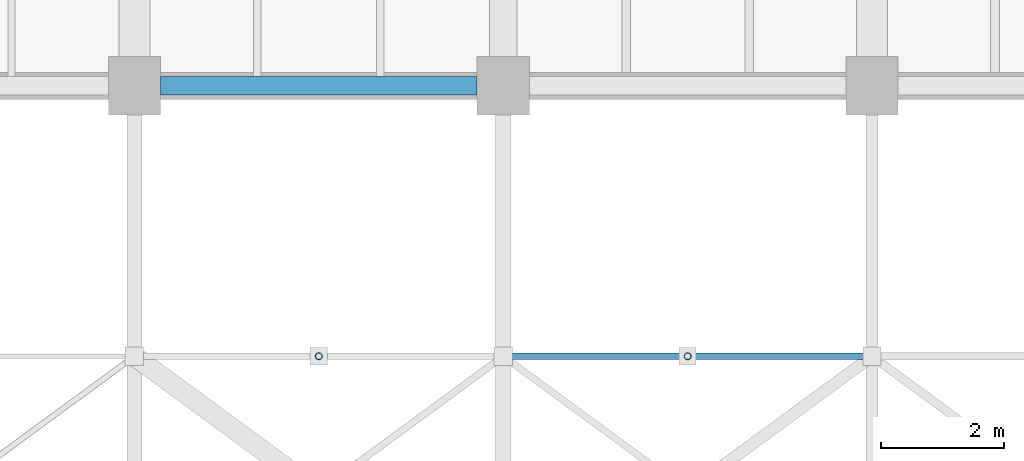
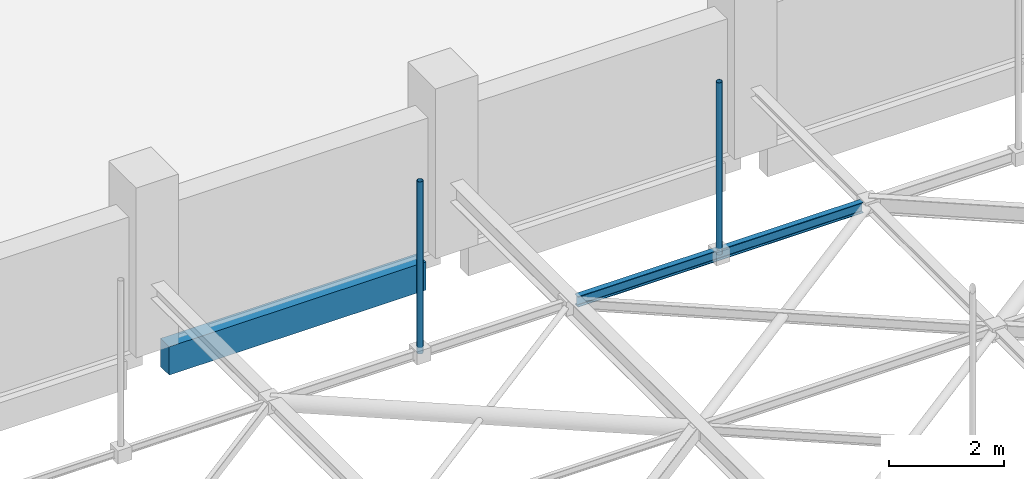
# One storey, part 54 of 93: 2 beams, 2 members.
"""IFC4 building model written with IfcOpenShell, lengths in metres."""

from ifc_helpers import new_model, si_unit, direction, frame, origin, origin_2d, place, context, subcontext, project, spatial, rectangle, hollow_circle, i_section, extrude, material, material_profile, profile_set, type_object, element, save


model = new_model("IFC4")

# Units and contexts
model_context = context("Model", 3, precision=1e-05, world=origin(), true_north=direction((0.0, 1.0)))
body_context = subcontext(model_context, "Body", "Model", "MODEL_VIEW")
ifc_project = project(units=[si_unit("LENGTHUNIT", "METRE"), si_unit("AREAUNIT", "SQUARE_METRE"), si_unit("VOLUMEUNIT", "CUBIC_METRE"), si_unit("PLANEANGLEUNIT", "RADIAN"), si_unit("MASSUNIT", "GRAM", prefix="KILO")], contexts=[model_context])

# Site, building, storey
site_placement = place(None, origin())
site = spatial("IfcSite", under=ifc_project, at=site_placement, CompositionType="ELEMENT")
building_placement = place(site_placement, origin())
building = spatial("IfcBuilding", under=site, at=building_placement, Name="Varnakota Cinema and Media Centre", CompositionType="ELEMENT")
storey_placement = place(building_placement, frame((0.0, 0.0, 12.0)))
storey = spatial("IfcBuildingStorey", under=building, at=storey_placement, Name="L03", CompositionType="ELEMENT", Elevation=12.0)

# Beams
ifc_material_1 = material(Name="Concrete M35", Category="concrete")
ifc_material_profile_1 = material_profile(ifc_material_1, rectangle(XDim=0.300048828125, YDim=0.60009765625, at=origin_2d()), Name="RCB 300x600")
ifc_profile_set_1 = profile_set([ifc_material_profile_1], Name="Concrete M35")
beam_type_1 = type_object("IfcBeamType", Name="BM-SP-300x600", PredefinedType="SPANDREL", material=ifc_profile_set_1)
beam_1_placement = place(storey_placement, frame((111.425048828125, 35.199951171875, -0.56005859375), z_axis=(1.0, 0.0, 0.0), x_axis=(0.0, 1.0, 0.0)))
element("IfcBeam", 1, at=beam_1_placement, inside=storey, type_object=beam_type_1, Name="L03 girder R-S/5", PredefinedType="SPANDREL", context=body_context, shape_type="SweptSolid", body=[
    extrude(rectangle(XDim=0.300048828125, YDim=0.60009765625, at=origin_2d()), origin(), (0.0, 0.0, 1.0), 5.14990234375),
])
ifc_material_2 = material(Name="Structural steel Grade 350 (E350)", Category="steel")
ifc_material_profile_2 = material_profile(ifc_material_2, i_section(OverallWidth=0.110107421875, OverallDepth=0.22509765625, WebThickness=0.006591796875, FlangeThickness=0.01171875, FilletRadius=0.011962890625, at=origin_2d()), Name="ISMB 225")
ifc_profile_set_2 = profile_set([ifc_material_profile_2], Name="Structural steel Grade 350 (E350)")
beam_type_2 = type_object("IfcBeamType", Name="BM-ST-ISMB225", PredefinedType="JOIST", material=ifc_profile_set_2)
beam_2_placement = place(storey_placement, frame((117.139892578125, 30.800048828125, 1.300048828125), z_axis=(1.0, 0.0, 0.0), x_axis=(0.0, 1.0, 0.0)))
element("IfcBeam", 2, at=beam_2_placement, inside=storey, type_object=beam_type_2, Name="V1 rigging beam 8.7", PredefinedType="JOIST", context=body_context, shape_type="SweptSolid", body=[
    extrude(i_section(OverallWidth=0.110107421875, OverallDepth=0.22509765625, WebThickness=0.006591796875, FlangeThickness=0.01171875, FilletRadius=0.011962890625, at=origin_2d()), origin(), (0.0, 0.0, 1.0), 5.72021484375),
])

# Members
ifc_material_3 = material(Name="Structural steel S355 (YSt 355)", Category="steel")
ifc_material_profile_3 = material_profile(ifc_material_3, hollow_circle(Radius=0.05712890625, WallThickness=0.00537109375, at=origin_2d()), Name="CHS 114.3x5.4")
ifc_profile_set_3 = profile_set([ifc_material_profile_3], Name="Structural steel S355 (YSt 355)")
member_type = type_object("IfcMemberType", Name="MEM-ST-CHS114_3x5_4", PredefinedType="BRACE", material=ifc_profile_set_3)
for number, where, z_axis, x_axis, name in (
    (3, (114.0, 30.800048828125, 1.300048828125), (0.0, 0.0, 1.0), (1.0, 0.0, 0.0), "V1 rigging hanger 7.4"),
    (4, (120.0, 30.800048828125, 1.300048828125), (0.0, 0.0, 1.0), (1.0, 0.0, 0.0), "V1 rigging hanger 8.4"),
):
    element("IfcMember", number, at=place(storey_placement, frame(where, z_axis=z_axis, x_axis=x_axis)), inside=storey, type_object=member_type, Name=name, PredefinedType="BRACE", context=body_context, shape_type="SweptSolid", body=[
        extrude(hollow_circle(Radius=0.05712890625, WallThickness=0.00537109375, at=origin_2d()), origin(), (0.0, 0.0, 1.0), 3.64990234375),
    ])

save(model, "model.ifc")
